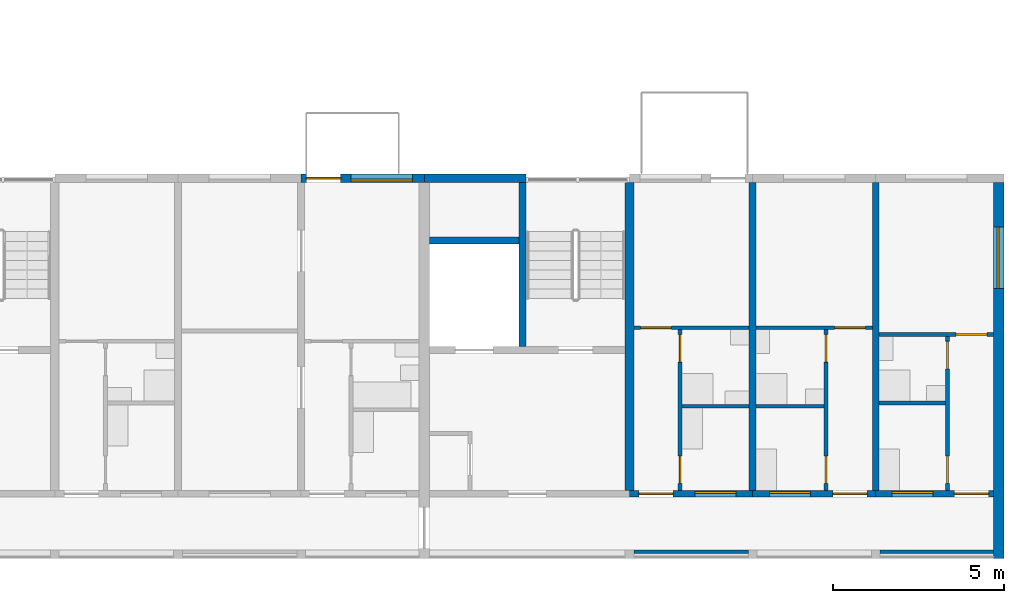
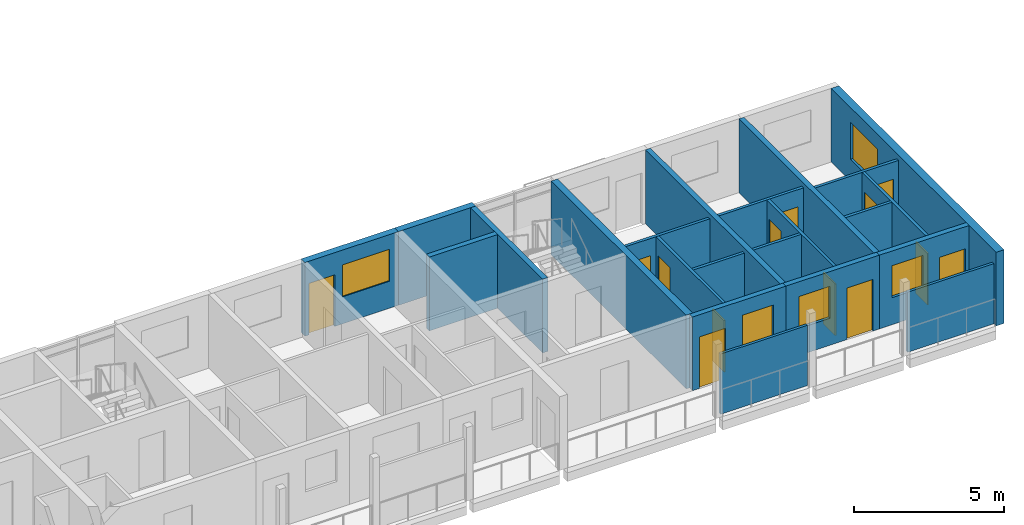
# One storey, part 56 of 87: 22 walls, 13 doors, 5 windows, 18 openings.
"""IFC4 building model written with IfcOpenShell, lengths in metres."""

import ifcopenshell
import ifcopenshell.guid

model = None  # the IFC model being written
_history = None  # IfcOwnerHistory: only IFC2X3 demands one
_inside = {}  # id of a spatial element -> (the spatial element, [elements in it])
_under = {}  # id of a project, library or spatial element -> (it, [spatial elements below it])
_declared = {}  # id of a project -> (the project, [libraries it declares])
_typed = {}  # id of a type object -> (the type object, [elements of that type])
_made_of = {}  # id of a material, layer set ... -> (it, [elements and type objects made of it])


def new_model(schema):
    """Start an empty IFC model of exactly this schema.

    Asked for "IFC4X3", IfcOpenShell would pick the latest addendum, in which some entities
    have other attributes; the version numbers below select the first issue.
    IFC2X3 requires an IfcOwnerHistory on every rooted entity: one is made here for all.
    """
    global model, _history
    if schema == "IFC4X3":
        model = ifcopenshell.file(schema_version=(4, 3, 0, 0))
    else:
        model = ifcopenshell.file(schema=schema)
    _inside.clear()
    _under.clear()
    _declared.clear()
    _typed.clear()
    _made_of.clear()
    _history = None
    if model.schema == "IFC2X3":
        org = make("IfcOrganization", Name="unknown")
        user = make(
            "IfcPersonAndOrganization",
            ThePerson=make("IfcPerson", FamilyName="unknown"),
            TheOrganization=org,
        )
        app = make(
            "IfcApplication",
            ApplicationDeveloper=org,
            Version="unknown",
            ApplicationFullName="unknown",
            ApplicationIdentifier="unknown",
        )
        _history = make(
            "IfcOwnerHistory",
            OwningUser=user,
            OwningApplication=app,
            ChangeAction="ADDED",
            CreationDate=0,
        )
    return model


def make(cls, **values):
    """One entity of the class cls with the attributes given. An attribute that is None is left unset."""
    return model.create_entity(
        cls, **{name: value for name, value in values.items() if value is not None}
    )


def rooted(cls, **values):
    """An entity with a GlobalId (a new one), such as an element, a storey or a relation."""
    return make(cls, GlobalId=ifcopenshell.guid.new(), OwnerHistory=_history, **values)


def si_unit(unit_type, name, prefix=None):
    """IfcSIUnit, for example si_unit("LENGTHUNIT", "METRE", prefix="MILLI")."""
    return make("IfcSIUnit", UnitType=unit_type, Prefix=prefix, Name=name)


def assignment(units):
    """IfcUnitAssignment: the units of a project."""
    return None if units is None else make("IfcUnitAssignment", Units=units)


def point(xyz):
    """IfcCartesianPoint."""
    return None if xyz is None else make("IfcCartesianPoint", Coordinates=xyz)


def direction(xyz):
    """IfcDirection."""
    return None if xyz is None else make("IfcDirection", DirectionRatios=xyz)


def frame(location, z_axis=None, x_axis=None):
    """IfcAxis2Placement3D, a coordinate frame: its origin and axes. An axis left out is left unset."""
    return make(
        "IfcAxis2Placement3D",
        Location=point(location),
        Axis=direction(z_axis),
        RefDirection=direction(x_axis),
    )


def frame_2d(location, x_axis=None):
    """IfcAxis2Placement2D, a coordinate frame in the plane: its origin and x axis."""
    return make(
        "IfcAxis2Placement2D", Location=point(location), RefDirection=direction(x_axis)
    )


def origin():
    """The frame at (0, 0, 0) with its axes left unset."""
    return frame((0.0, 0.0, 0.0))


def place(relative_to, where):
    """IfcLocalPlacement: puts the frame where relative to a parent placement (None: the world)."""
    return make(
        "IfcLocalPlacement", PlacementRelTo=relative_to, RelativePlacement=where
    )


def context(
    kind, dimensions, precision=None, world=None, true_north=None, identifier=None
):
    """IfcGeometricRepresentationContext, for example the 3D "Model" context."""
    return make(
        "IfcGeometricRepresentationContext",
        ContextIdentifier=identifier,
        ContextType=kind,
        CoordinateSpaceDimension=dimensions,
        Precision=precision,
        WorldCoordinateSystem=world,
        TrueNorth=true_north,
    )


def subcontext(parent, identifier, kind, view, scale=None):
    """IfcGeometricRepresentationSubContext, for example "Body" below "Model"."""
    return make(
        "IfcGeometricRepresentationSubContext",
        ContextIdentifier=identifier,
        ContextType=kind,
        ParentContext=parent,
        TargetScale=scale,
        TargetView=view,
    )


def project(units=None, contexts=None):
    """IfcProject with its units and contexts."""
    return rooted(
        "IfcProject",
        Name="project",
        RepresentationContexts=contexts,
        UnitsInContext=assignment(units),
    )


def spatial(cls, under=None, at=None, **own):
    """A site, building, storey or space (cls), placed at a placement, below another one or the project."""
    s = rooted(cls, ObjectPlacement=at, **own)
    if under is not None:
        _under.setdefault(under.id(), (under, []))[1].append(s)
    return s


def profile(cls, at=None, kind="AREA", **sizes):
    """A parametric profile (cls). Its sizes go by their IFC names, for example OverallWidth=200.0."""
    return make(cls, ProfileType=kind, Position=at, **sizes)


def rectangle(**sizes):
    """IfcRectangleProfileDef."""
    return profile("IfcRectangleProfileDef", **sizes)


def extrude(swept, where, along, depth):
    """IfcExtrudedAreaSolid: the profile swept, set in the frame where, extruded along a direction by depth."""
    return make(
        "IfcExtrudedAreaSolid",
        SweptArea=swept,
        Position=where,
        ExtrudedDirection=direction(along),
        Depth=depth,
    )


def shape(context_of_items, identifier, shape_type, items):
    """IfcShapeRepresentation: the items that make up one representation, for example the "Body"."""
    return make(
        "IfcShapeRepresentation",
        ContextOfItems=context_of_items,
        RepresentationIdentifier=identifier,
        RepresentationType=shape_type,
        Items=items,
    )


def material(Name=None, Category=None):
    """IfcMaterial."""
    return make("IfcMaterial", Name=Name, Category=Category)


def layer(
    of_material, thickness, ventilated=None, Name=None, Category=None, Priority=None
):
    """IfcMaterialLayer: one layer of a wall or slab, of a material (None: an air gap)."""
    return make(
        "IfcMaterialLayer",
        Material=of_material,
        LayerThickness=thickness,
        IsVentilated=ventilated,
        Name=Name,
        Category=Category,
        Priority=Priority,
    )


def layer_set(layers, Name=None):
    """IfcMaterialLayerSet."""
    return make("IfcMaterialLayerSet", MaterialLayers=layers, LayerSetName=Name)


def made_of(thing, what):
    """Note that an element or type object is made of a material, layer set ...; save() writes the relation."""
    if what is not None:
        _made_of.setdefault(what.id(), (what, []))[1].append(thing)
    return thing


def type_object(cls, material=None, **own):
    """A type object (cls), such as IfcWallType, which elements share."""
    return made_of(rooted(cls, **own), material)


def element(
    cls,
    number,
    at=None,
    inside=None,
    cuts=None,
    type_object=None,
    material=None,
    context=None,
    identifier="Body",
    shape_type=None,
    held_by="IfcProductDefinitionShape",
    body=None,
    shapes=None,
    **own,
):
    """One element of the class cls, such as IfcWall. Its Tag is "e" and its number.

    at: its placement. inside: the storey or other place that contains it. cuts: it is an
    opening in that element (IfcRelVoidsElement). A single representation is given by context,
    identifier, shape_type and body (its items); several are given by shapes. held_by: the class
    of the entity that holds the representations. save() writes the other relations.
    """
    e = rooted(cls, Tag="e%d" % number, ObjectPlacement=at, **own)
    if body is not None:
        shapes = [shape(context, identifier, shape_type, body)]
    if shapes is not None:
        e.Representation = make(held_by, Representations=shapes)
    if inside is not None:
        _inside.setdefault(inside.id(), (inside, []))[1].append(e)
    if cuts is not None:
        rooted(
            "IfcRelVoidsElement", RelatingBuildingElement=cuts, RelatedOpeningElement=e
        )
    if type_object is not None:
        _typed.setdefault(type_object.id(), (type_object, []))[1].append(e)
    return made_of(e, material)


def fill(opening, filler):
    """IfcRelFillsElement: the door or window that sits in an opening."""
    return rooted(
        "IfcRelFillsElement",
        RelatingOpeningElement=opening,
        RelatedBuildingElement=filler,
    )


def aggregate(whole, parts):
    """IfcRelAggregates: a whole, such as a stair, and the parts it consists of."""
    return rooted("IfcRelAggregates", RelatingObject=whole, RelatedObjects=parts)


def save(model, path):
    """Write the relations noted so far, then the file.

    IfcRelAggregates (storeys below a building ...), IfcRelContainedInSpatialStructure (elements
    in a storey), IfcRelDefinesByType, IfcRelAssociatesMaterial and IfcRelDeclares: one each for
    every whole, place, type object, material and project.
    """
    for whole, parts in _under.values():
        aggregate(whole, parts)
    for where, things in _inside.values():
        rooted(
            "IfcRelContainedInSpatialStructure",
            RelatedElements=things,
            RelatingStructure=where,
        )
    for kind, things in _typed.values():
        rooted("IfcRelDefinesByType", RelatedObjects=things, RelatingType=kind)
    for what, things in _made_of.values():
        rooted("IfcRelAssociatesMaterial", RelatedObjects=things, RelatingMaterial=what)
    for by, libraries in _declared.values():
        rooted("IfcRelDeclares", RelatingContext=by, RelatedDefinitions=libraries)
    model.write(path)


model = new_model("IFC4")

# Units and contexts
model_context = context("Model", 3, precision=1e-05, world=origin(), true_north=direction((0.0, 1.0)))
body_context = subcontext(model_context, "Body", "Model", "MODEL_VIEW")
ifc_project = project(units=[si_unit("LENGTHUNIT", "METRE"), si_unit("AREAUNIT", "SQUARE_METRE"), si_unit("VOLUMEUNIT", "CUBIC_METRE"), si_unit("PLANEANGLEUNIT", "RADIAN"), si_unit("MASSUNIT", "GRAM", prefix="KILO")], contexts=[model_context])

# Site, building, storey
site_placement = place(None, origin())
site = spatial("IfcSite", under=ifc_project, at=site_placement, CompositionType="ELEMENT")
building_placement = place(site_placement, origin())
building = spatial("IfcBuilding", under=site, at=building_placement, Name="Ridgestep Commons", CompositionType="ELEMENT")
storey_placement = place(building_placement, frame((0.0, 0.0, 27.0)))
storey = spatial("IfcBuildingStorey", under=building, at=storey_placement, Name="L09", CompositionType="ELEMENT", Elevation=27.0)

# Walls
ifc_material_1 = material(Name="Concrete C30/37", Category="concrete")
ifc_layer_1 = layer(ifc_material_1, 0.25)
ifc_layer_set_1 = layer_set([ifc_layer_1], Name="Core cross wall 250")
wall_type_1 = type_object("IfcWallType", Name="Core cross wall 250", PredefinedType="SHEAR", material=ifc_layer_set_1)
wall_1_placement = place(storey_placement, frame((236.800048828125, 13.75, 0.0), z_axis=(0.0, 0.0, 1.0), x_axis=(0.0, 1.0, 0.0)))
element("IfcWall", 1, at=wall_1_placement, inside=storey, type_object=wall_type_1, Name="Cross wall D-09-2368", PredefinedType="SHEAR", context=body_context, shape_type="SweptSolid", body=[
    extrude(rectangle(XDim=9.0, YDim=0.25, at=frame_2d((4.5, 0.0))), origin(), (0.0, 0.0, 1.0), 3.0),
])
ifc_material_2 = material(Name="Concrete C30/37", Category="concrete")
ifc_layer_2 = layer(ifc_material_2, 0.199951171875)
ifc_layer_set_2 = layer_set([ifc_layer_2], Name="Core wall 200")
wall_type_2 = type_object("IfcWallType", Name="Core wall 200", PredefinedType="SHEAR", material=ifc_layer_set_2)
wall_2_placement = place(storey_placement, frame((233.675048828125, 17.949951171875, 0.0), z_axis=(0.0, 0.0, 1.0), x_axis=(0.0, 1.0, 0.0)))
element("IfcWall", 2, at=wall_2_placement, inside=storey, type_object=wall_type_2, Name="Core stair wall D6C L09", PredefinedType="SHEAR", context=body_context, shape_type="SweptSolid", body=[
    extrude(rectangle(XDim=4.800048828125, YDim=0.199951171875, at=frame_2d((2.39990234375, 0.0))), origin(), (0.0, 0.0, 1.0), 3.0),
])
wall_3_placement = place(storey_placement, frame((230.949951171875, 21.050048828125, 0.0), z_axis=(0.0, 0.0, 1.0), x_axis=(1.0, 0.0, 0.0)))
element("IfcWall", 3, at=wall_3_placement, inside=storey, type_object=wall_type_2, Name="Core duct wall D6C L09", PredefinedType="SHEAR", context=body_context, shape_type="SweptSolid", body=[
    extrude(rectangle(XDim=2.625, YDim=0.199951171875, at=frame_2d((1.3125, 0.0))), origin(), (0.0, 0.0, 1.0), 3.0),
])
ifc_material_3 = material(Name="Precast concrete C40/50", Category="concrete")
ifc_layer_3 = layer(ifc_material_3, 0.199951171875)
ifc_layer_set_3 = layer_set([ifc_layer_3], Name="Cross wall 200")
wall_type_3 = type_object("IfcWallType", Name="Cross wall 200", PredefinedType="SHEAR", material=ifc_layer_set_3)
for number, where, z_axis, x_axis, name in (
    (4, (240.39990234375, 13.75, 0.0), (0.0, 0.0, 1.0), (0.0, 1.0, 0.0), "Cross wall D-09-2404"),
    (5, (244.0, 13.75, 0.0), (0.0, 0.0, 1.0), (0.0, 1.0, 0.0), "Cross wall D-09-2440"),
):
    element("IfcWall", number, at=place(storey_placement, frame(where, z_axis=z_axis, x_axis=x_axis)), inside=storey, type_object=wall_type_3, Name=name, PredefinedType="SHEAR", context=body_context, shape_type="SweptSolid", body=[
        extrude(rectangle(XDim=9.0, YDim=0.199951171875, at=frame_2d((4.5, 0.0))), origin(), (0.0, 0.0, 1.0), 3.0),
    ])

# Wall, opening, window
ifc_material_4 = material(Name="Precast concrete C40/50", Category="concrete")
ifc_layer_4 = layer(ifc_material_4, 0.300048828125)
ifc_layer_set_4 = layer_set([ifc_layer_4], Name="Exposed division wall 300")
wall_type_4 = type_object("IfcWallType", Name="Exposed division wall 300", PredefinedType="SHEAR", material=ifc_layer_set_4)
wall_4_placement = place(storey_placement, frame((247.60009765625, 11.75, 0.0), z_axis=(0.0, 0.0, 1.0), x_axis=(0.0, 1.0, 0.0)))
wall_4 = element("IfcWall", 6, at=wall_4_placement, inside=storey, type_object=wall_type_4, Name="Cross wall D-09-2476", PredefinedType="SHEAR", context=body_context, shape_type="SweptSolid", body=[
    extrude(rectangle(XDim=11.0, YDim=0.300048828125, at=frame_2d((5.5, 0.0))), origin(), (0.0, 0.0, 1.0), 3.0),
])
opening_1_placement = place(wall_4_placement, frame((7.905029296875, 0.0, 0.89990234375)))
opening_1 = element("IfcOpeningElement", 7, at=opening_1_placement, cuts=wall_4, Name="Opening W20", PredefinedType="OPENING", context=body_context, shape_type="SweptSolid", body=[
    extrude(rectangle(XDim=1.800048828125, YDim=1.5, at=frame_2d((0.89990234375, 0.75))), frame((0.0, 0.159912109375, 0.0), z_axis=(0.0, -1.0, 0.0), x_axis=(1.0, 0.0, 0.0)), (0.0, 0.0, 1.0), 0.320068359375),
])
ifc_material_5 = material(Name="Aluminium 6063-T6 and glass", Category="aluminium")
window_type_1 = type_object("IfcWindowType", Name="Flat window 1800 x 1500", PartitioningType="DOUBLE_PANEL_VERTICAL", PredefinedType="WINDOW", material=ifc_material_5)
window_1_placement = place(opening_1_placement, origin())
window_1 = element("IfcWindow", 8, at=window_1_placement, inside=storey, type_object=window_type_1, Name="Window D6-09a 3", OverallHeight=1.5, OverallWidth=1.800048828125, PartitioningType="SINGLE_PANEL", PredefinedType="WINDOW", context=body_context, shape_type="SweptSolid", body=[
    extrude(rectangle(XDim=1.800048828125, YDim=1.5, at=frame_2d((0.89990234375, 0.75))), frame((0.0, 0.06005859375, 0.0), z_axis=(0.0, -1.0, 0.0), x_axis=(1.0, 0.0, 0.0)), (0.0, 0.0, 1.0), 0.06005859375),
])
fill(opening_1, window_1)

# Wall, openings, door, window
ifc_material_6 = material(Name="Precast concrete C40/50", Category="concrete")
ifc_layer_5 = layer(ifc_material_6, 0.25)
ifc_layer_set_5 = layer_set([ifc_layer_5], Name="North facade panel 250")
wall_type_5 = type_object("IfcWallType", Name="North facade panel 250", PredefinedType="SOLIDWALL", material=ifc_layer_set_5)
wall_5_placement = place(storey_placement, frame((227.199951171875, 22.875, 0.0), z_axis=(0.0, 0.0, 1.0), x_axis=(1.0, 0.0, 0.0)))
wall_5 = element("IfcWall", 9, at=wall_5_placement, inside=storey, type_object=wall_type_5, Name="North panel D5T1 L09", PredefinedType="SOLIDWALL", context=body_context, shape_type="SweptSolid", body=[
    extrude(rectangle(XDim=3.60009765625, YDim=0.25, at=frame_2d((1.800048828125, 0.0))), origin(), (0.0, 0.0, 1.0), 3.0),
])
opening_2_placement = place(wall_5_placement, frame((1.451904296875, 0.0, 1.10009765625)))
opening_2 = element("IfcOpeningElement", 10, at=opening_2_placement, cuts=wall_5, Name="Opening W18", PredefinedType="OPENING", context=body_context, shape_type="SweptSolid", body=[
    extrude(rectangle(XDim=1.800048828125, YDim=1.300048828125, at=frame_2d((0.89990234375, 0.64990234375))), frame((0.0, 0.135009765625, 0.0), z_axis=(0.0, -1.0, 0.0), x_axis=(1.0, 0.0, 0.0)), (0.0, 0.0, 1.0), 0.27001953125),
])
opening_3_placement = place(wall_5_placement, frame((0.154052734375, 0.0, 0.0)))
opening_3 = element("IfcOpeningElement", 11, at=opening_3_placement, cuts=wall_5, Name="Opening D5-09a/7", PredefinedType="OPENING", context=body_context, shape_type="SweptSolid", body=[
    extrude(rectangle(XDim=1.0, YDim=2.10009765625, at=frame_2d((0.5, 1.050048828125))), frame((0.0, 0.135009765625, 0.0), z_axis=(0.0, -1.0, 0.0), x_axis=(1.0, 0.0, 0.0)), (0.0, 0.0, 1.0), 0.27001953125),
])
ifc_material_7 = material(Name="Aluminium and glass", Category="aluminium")
door_type_1 = type_object("IfcDoorType", Name="Balcony door 1000 x 2100", OperationType="NOTDEFINED", PredefinedType="DOOR", material=ifc_material_7)
door_1_placement = place(opening_3_placement, origin())
door_1 = element("IfcDoor", 12, at=door_1_placement, inside=storey, type_object=door_type_1, Name="Balcony door D5-09a/7", OperationType="SINGLE_SWING_RIGHT", OverallHeight=2.10009765625, OverallWidth=1.0, PredefinedType="DOOR", context=body_context, shape_type="SweptSolid", body=[
    extrude(rectangle(XDim=1.0, YDim=2.10009765625, at=frame_2d((0.5, 1.050048828125))), frame((0.0, 0.02490234375, 0.0), z_axis=(0.0, -1.0, 0.0), x_axis=(1.0, 0.0, 0.0)), (0.0, 0.0, 1.0), 0.050048828125),
])
fill(opening_3, door_1)
ifc_material_8 = material(Name="Aluminium 6063-T6 and glass", Category="aluminium")
window_type_2 = type_object("IfcWindowType", Name="Flat window 1800 x 1300", PartitioningType="DOUBLE_PANEL_VERTICAL", PredefinedType="WINDOW", material=ifc_material_8)
window_2_placement = place(opening_2_placement, origin())
window_2 = element("IfcWindow", 13, at=window_2_placement, inside=storey, type_object=window_type_2, Name="Window D5-09a 4", OverallHeight=1.300048828125, OverallWidth=1.800048828125, PartitioningType="SINGLE_PANEL", PredefinedType="WINDOW", context=body_context, shape_type="SweptSolid", body=[
    extrude(rectangle(XDim=1.800048828125, YDim=1.300048828125, at=frame_2d((0.89990234375, 0.64990234375))), frame((0.0, -0.02490234375, 0.0), z_axis=(0.0, -1.0, 0.0), x_axis=(1.0, 0.0, 0.0)), (0.0, 0.0, 1.0), 0.06005859375),
])
fill(opening_2, window_2)

# Walls
wall_6_placement = place(storey_placement, frame((230.800048828125, 22.875, 0.0), z_axis=(0.0, 0.0, 1.0), x_axis=(1.0, 0.0, 0.0)))
element("IfcWall", 14, at=wall_6_placement, inside=storey, type_object=wall_type_5, Name="North panel D6C L09", PredefinedType="SOLIDWALL", context=body_context, shape_type="SweptSolid", body=[
    extrude(rectangle(XDim=2.974853515625, YDim=0.25, at=frame_2d((1.4873046875, 0.0))), origin(), (0.0, 0.0, 1.0), 3.0),
])
ifc_material_9 = material(Name="Common brick 110 mm", Category="masonry")
ifc_layer_6 = layer(ifc_material_9, 0.110107421875)
ifc_layer_set_6 = layer_set([ifc_layer_6], Name="Partition 110")
wall_type_6 = type_object("IfcWallType", Name="Partition 110", PredefinedType="PARTITIONING", material=ifc_layer_set_6)
wall_7_placement = place(storey_placement, frame((244.10009765625, 16.304931640625, 0.0), z_axis=(0.0, 0.0, 1.0), x_axis=(1.0, 0.0, 0.0)))
element("IfcWall", 15, at=wall_7_placement, inside=storey, type_object=wall_type_6, Name="Partition D6-09a", PredefinedType="PARTITIONING", context=body_context, shape_type="SweptSolid", body=[
    extrude(rectangle(XDim=1.93994140625, YDim=0.110107421875, at=frame_2d((0.969970703125, 0.0))), origin(), (0.0, 0.0, 1.0), 2.800048828125),
])

# Wall, openings, doors
wall_8_placement = place(storey_placement, frame((246.094970703125, 13.75, 0.0), z_axis=(0.0, 0.0, 1.0), x_axis=(0.0, 1.0, 0.0)))
wall_8 = element("IfcWall", 16, at=wall_8_placement, inside=storey, type_object=wall_type_6, Name="Partition D6-09a", PredefinedType="PARTITIONING", context=body_context, shape_type="SweptSolid", body=[
    extrude(rectangle(XDim=4.5, YDim=0.110107421875, at=frame_2d((2.25, 0.0))), origin(), (0.0, 0.0, 1.0), 2.800048828125),
])
opening_4_placement = place(wall_8_placement, frame((0.199951171875, 0.0, 0.0)))
opening_4 = element("IfcOpeningElement", 17, at=opening_4_placement, cuts=wall_8, Name="Opening D6-09a/2", PredefinedType="OPENING", context=body_context, shape_type="SweptSolid", body=[
    extrude(rectangle(XDim=0.800048828125, YDim=2.10009765625, at=frame_2d((0.39990234375, 1.050048828125))), frame((0.0, 0.06494140625, 0.0), z_axis=(0.0, -1.0, 0.0), x_axis=(1.0, 0.0, 0.0)), (0.0, 0.0, 1.0), 0.130126953125),
])
opening_5_placement = place(wall_8_placement, frame((3.550048828125, 0.0, 0.0)))
opening_5 = element("IfcOpeningElement", 18, at=opening_5_placement, cuts=wall_8, Name="Opening D6-09a/3", PredefinedType="OPENING", context=body_context, shape_type="SweptSolid", body=[
    extrude(rectangle(XDim=0.800048828125, YDim=2.10009765625, at=frame_2d((0.39990234375, 1.050048828125))), frame((0.0, 0.06494140625, 0.0), z_axis=(0.0, -1.0, 0.0), x_axis=(1.0, 0.0, 0.0)), (0.0, 0.0, 1.0), 0.130126953125),
])
ifc_material_10 = material(Name="Timber door leaf", Category="wood")
door_type_2 = type_object("IfcDoorType", Name="Internal door 800 x 2100", OperationType="NOTDEFINED", PredefinedType="DOOR", material=ifc_material_10)
door_2_placement = place(opening_4_placement, origin())
door_2 = element("IfcDoor", 19, at=door_2_placement, inside=storey, type_object=door_type_2, Name="Internal door D6-09a/2", OperationType="SINGLE_SWING_LEFT", OverallHeight=2.10009765625, OverallWidth=0.800048828125, PredefinedType="DOOR", context=body_context, shape_type="SweptSolid", body=[
    extrude(rectangle(XDim=0.800048828125, YDim=2.10009765625, at=frame_2d((0.39990234375, 1.050048828125))), frame((0.0, 0.02490234375, 0.0), z_axis=(0.0, -1.0, 0.0), x_axis=(1.0, 0.0, 0.0)), (0.0, 0.0, 1.0), 0.050048828125),
])
fill(opening_4, door_2)
door_3_placement = place(opening_5_placement, origin())
door_3 = element("IfcDoor", 20, at=door_3_placement, inside=storey, type_object=door_type_2, Name="Internal door D6-09a/3", OperationType="SINGLE_SWING_RIGHT", OverallHeight=2.10009765625, OverallWidth=0.800048828125, PredefinedType="DOOR", context=body_context, shape_type="SweptSolid", body=[
    extrude(rectangle(XDim=0.800048828125, YDim=2.10009765625, at=frame_2d((0.39990234375, 1.050048828125))), frame((0.0, 0.02490234375, 0.0), z_axis=(0.0, -1.0, 0.0), x_axis=(1.0, 0.0, 0.0)), (0.0, 0.0, 1.0), 0.050048828125),
])
fill(opening_5, door_3)

# Wall, opening, door
wall_9_placement = place(storey_placement, frame((244.10009765625, 18.304931640625, 0.0), z_axis=(0.0, 0.0, 1.0), x_axis=(1.0, 0.0, 0.0)))
wall_9 = element("IfcWall", 21, at=wall_9_placement, inside=storey, type_object=wall_type_6, Name="Partition D6-09a", PredefinedType="PARTITIONING", context=body_context, shape_type="SweptSolid", body=[
    extrude(rectangle(XDim=3.349853515625, YDim=0.110107421875, at=frame_2d((1.6748046875, 0.0))), origin(), (0.0, 0.0, 1.0), 2.800048828125),
])
opening_6_placement = place(wall_9_placement, frame((2.25, 0.0, 0.0)))
opening_6 = element("IfcOpeningElement", 22, at=opening_6_placement, cuts=wall_9, Name="Opening D6-09a/4", PredefinedType="OPENING", context=body_context, shape_type="SweptSolid", body=[
    extrude(rectangle(XDim=0.89990234375, YDim=2.10009765625, at=frame_2d((0.449951171875, 1.050048828125))), frame((0.0, 0.06494140625, 0.0), z_axis=(0.0, -1.0, 0.0), x_axis=(1.0, 0.0, 0.0)), (0.0, 0.0, 1.0), 0.130126953125),
])
ifc_material_11 = material(Name="Timber door leaf", Category="wood")
door_type_3 = type_object("IfcDoorType", Name="Internal door 900 x 2100", OperationType="NOTDEFINED", PredefinedType="DOOR", material=ifc_material_11)
door_4_placement = place(opening_6_placement, origin())
door_4 = element("IfcDoor", 23, at=door_4_placement, inside=storey, type_object=door_type_3, Name="Internal door D6-09a/4", OperationType="SINGLE_SWING_LEFT", OverallHeight=2.10009765625, OverallWidth=0.89990234375, PredefinedType="DOOR", context=body_context, shape_type="SweptSolid", body=[
    extrude(rectangle(XDim=0.89990234375, YDim=2.10009765625, at=frame_2d((0.449951171875, 1.050048828125))), frame((0.0, 0.02490234375, 0.0), z_axis=(0.0, -1.0, 0.0), x_axis=(1.0, 0.0, 0.0)), (0.0, 0.0, 1.0), 0.050048828125),
])
fill(opening_6, door_4)

# Wall
wall_10_placement = place(storey_placement, frame((240.5, 16.205078125, 0.0), z_axis=(0.0, 0.0, 1.0), x_axis=(1.0, 0.0, 0.0)))
element("IfcWall", 24, at=wall_10_placement, inside=storey, type_object=wall_type_6, Name="Partition D6-09b", PredefinedType="PARTITIONING", context=body_context, shape_type="SweptSolid", body=[
    extrude(rectangle(XDim=1.989990234375, YDim=0.110107421875, at=frame_2d((0.9951171875, 0.0))), origin(), (0.0, 0.0, 1.0), 2.800048828125),
])

# Wall, openings, doors
wall_11_placement = place(storey_placement, frame((242.544921875, 13.75, 0.0), z_axis=(0.0, 0.0, 1.0), x_axis=(0.0, 1.0, 0.0)))
wall_11 = element("IfcWall", 25, at=wall_11_placement, inside=storey, type_object=wall_type_6, Name="Partition D6-09b", PredefinedType="PARTITIONING", context=body_context, shape_type="SweptSolid", body=[
    extrude(rectangle(XDim=4.699951171875, YDim=0.110107421875, at=frame_2d((2.35009765625, 0.0))), origin(), (0.0, 0.0, 1.0), 2.800048828125),
])
opening_7_placement = place(wall_11_placement, frame((0.199951171875, 0.0, 0.0)))
opening_7 = element("IfcOpeningElement", 26, at=opening_7_placement, cuts=wall_11, Name="Opening D6-09b/2", PredefinedType="OPENING", context=body_context, shape_type="SweptSolid", body=[
    extrude(rectangle(XDim=0.800048828125, YDim=2.10009765625, at=frame_2d((0.39990234375, 1.050048828125))), frame((0.0, 0.06494140625, 0.0), z_axis=(0.0, -1.0, 0.0), x_axis=(1.0, 0.0, 0.0)), (0.0, 0.0, 1.0), 0.130126953125),
])
opening_8_placement = place(wall_11_placement, frame((3.75, 0.0, 0.0)))
opening_8 = element("IfcOpeningElement", 27, at=opening_8_placement, cuts=wall_11, Name="Opening D6-09b/3", PredefinedType="OPENING", context=body_context, shape_type="SweptSolid", body=[
    extrude(rectangle(XDim=0.800048828125, YDim=2.10009765625, at=frame_2d((0.39990234375, 1.050048828125))), frame((0.0, 0.06494140625, 0.0), z_axis=(0.0, -1.0, 0.0), x_axis=(1.0, 0.0, 0.0)), (0.0, 0.0, 1.0), 0.130126953125),
])
door_5_placement = place(opening_7_placement, origin())
door_5 = element("IfcDoor", 28, at=door_5_placement, inside=storey, type_object=door_type_2, Name="Internal door D6-09b/2", OperationType="SINGLE_SWING_LEFT", OverallHeight=2.10009765625, OverallWidth=0.800048828125, PredefinedType="DOOR", context=body_context, shape_type="SweptSolid", body=[
    extrude(rectangle(XDim=0.800048828125, YDim=2.10009765625, at=frame_2d((0.39990234375, 1.050048828125))), frame((0.0, 0.02490234375, 0.0), z_axis=(0.0, -1.0, 0.0), x_axis=(1.0, 0.0, 0.0)), (0.0, 0.0, 1.0), 0.050048828125),
])
fill(opening_7, door_5)
door_6_placement = place(opening_8_placement, origin())
door_6 = element("IfcDoor", 29, at=door_6_placement, inside=storey, type_object=door_type_2, Name="Internal door D6-09b/3", OperationType="SINGLE_SWING_RIGHT", OverallHeight=2.10009765625, OverallWidth=0.800048828125, PredefinedType="DOOR", context=body_context, shape_type="SweptSolid", body=[
    extrude(rectangle(XDim=0.800048828125, YDim=2.10009765625, at=frame_2d((0.39990234375, 1.050048828125))), frame((0.0, 0.02490234375, 0.0), z_axis=(0.0, -1.0, 0.0), x_axis=(1.0, 0.0, 0.0)), (0.0, 0.0, 1.0), 0.050048828125),
])
fill(opening_8, door_6)

# Wall, opening, door
wall_12_placement = place(storey_placement, frame((240.5, 18.5048828125, 0.0), z_axis=(0.0, 0.0, 1.0), x_axis=(1.0, 0.0, 0.0)))
wall_12 = element("IfcWall", 30, at=wall_12_placement, inside=storey, type_object=wall_type_6, Name="Partition D6-09b", PredefinedType="PARTITIONING", context=body_context, shape_type="SweptSolid", body=[
    extrude(rectangle(XDim=3.39990234375, YDim=0.110107421875, at=frame_2d((1.699951171875, 0.0))), origin(), (0.0, 0.0, 1.0), 2.800048828125),
])
opening_9_placement = place(wall_12_placement, frame((2.300048828125, 0.0, 0.0)))
opening_9 = element("IfcOpeningElement", 31, at=opening_9_placement, cuts=wall_12, Name="Opening D6-09b/4", PredefinedType="OPENING", context=body_context, shape_type="SweptSolid", body=[
    extrude(rectangle(XDim=0.89990234375, YDim=2.10009765625, at=frame_2d((0.449951171875, 1.050048828125))), frame((0.0, 0.06494140625, 0.0), z_axis=(0.0, -1.0, 0.0), x_axis=(1.0, 0.0, 0.0)), (0.0, 0.0, 1.0), 0.130126953125),
])
door_7_placement = place(opening_9_placement, origin())
door_7 = element("IfcDoor", 32, at=door_7_placement, inside=storey, type_object=door_type_3, Name="Internal door D6-09b/4", OperationType="SINGLE_SWING_LEFT", OverallHeight=2.10009765625, OverallWidth=0.89990234375, PredefinedType="DOOR", context=body_context, shape_type="SweptSolid", body=[
    extrude(rectangle(XDim=0.89990234375, YDim=2.10009765625, at=frame_2d((0.449951171875, 1.050048828125))), frame((0.0, 0.02490234375, 0.0), z_axis=(0.0, -1.0, 0.0), x_axis=(1.0, 0.0, 0.0)), (0.0, 0.0, 1.0), 0.050048828125),
])
fill(opening_9, door_7)

# Wall, openings, doors
wall_13_placement = place(storey_placement, frame((238.280029296875, 13.75, 0.0), z_axis=(0.0, 0.0, 1.0), x_axis=(0.0, 1.0, 0.0)))
wall_13 = element("IfcWall", 33, at=wall_13_placement, inside=storey, type_object=wall_type_6, Name="Partition D6-09c", PredefinedType="PARTITIONING", context=body_context, shape_type="SweptSolid", body=[
    extrude(rectangle(XDim=4.699951171875, YDim=0.110107421875, at=frame_2d((2.35009765625, 0.0))), origin(), (0.0, 0.0, 1.0), 2.800048828125),
])
opening_10_placement = place(wall_13_placement, frame((0.199951171875, 0.0, 0.0)))
opening_10 = element("IfcOpeningElement", 34, at=opening_10_placement, cuts=wall_13, Name="Opening D6-09c/2", PredefinedType="OPENING", context=body_context, shape_type="SweptSolid", body=[
    extrude(rectangle(XDim=0.800048828125, YDim=2.10009765625, at=frame_2d((0.39990234375, 1.050048828125))), frame((0.0, 0.06494140625, 0.0), z_axis=(0.0, -1.0, 0.0), x_axis=(1.0, 0.0, 0.0)), (0.0, 0.0, 1.0), 0.130126953125),
])
opening_11_placement = place(wall_13_placement, frame((3.75, 0.0, 0.0)))
opening_11 = element("IfcOpeningElement", 35, at=opening_11_placement, cuts=wall_13, Name="Opening D6-09c/3", PredefinedType="OPENING", context=body_context, shape_type="SweptSolid", body=[
    extrude(rectangle(XDim=0.800048828125, YDim=2.10009765625, at=frame_2d((0.39990234375, 1.050048828125))), frame((0.0, 0.06494140625, 0.0), z_axis=(0.0, -1.0, 0.0), x_axis=(1.0, 0.0, 0.0)), (0.0, 0.0, 1.0), 0.130126953125),
])
door_8_placement = place(opening_10_placement, origin())
door_8 = element("IfcDoor", 36, at=door_8_placement, inside=storey, type_object=door_type_2, Name="Internal door D6-09c/2", OperationType="SINGLE_SWING_RIGHT", OverallHeight=2.10009765625, OverallWidth=0.800048828125, PredefinedType="DOOR", context=body_context, shape_type="SweptSolid", body=[
    extrude(rectangle(XDim=0.800048828125, YDim=2.10009765625, at=frame_2d((0.39990234375, 1.050048828125))), frame((0.0, 0.02490234375, 0.0), z_axis=(0.0, -1.0, 0.0), x_axis=(1.0, 0.0, 0.0)), (0.0, 0.0, 1.0), 0.050048828125),
])
fill(opening_10, door_8)
door_9_placement = place(opening_11_placement, origin())
door_9 = element("IfcDoor", 37, at=door_9_placement, inside=storey, type_object=door_type_2, Name="Internal door D6-09c/3", OperationType="SINGLE_SWING_LEFT", OverallHeight=2.10009765625, OverallWidth=0.800048828125, PredefinedType="DOOR", context=body_context, shape_type="SweptSolid", body=[
    extrude(rectangle(XDim=0.800048828125, YDim=2.10009765625, at=frame_2d((0.39990234375, 1.050048828125))), frame((0.0, 0.02490234375, 0.0), z_axis=(0.0, -1.0, 0.0), x_axis=(1.0, 0.0, 0.0)), (0.0, 0.0, 1.0), 0.050048828125),
])
fill(opening_11, door_9)

# Wall
wall_14_placement = place(storey_placement, frame((238.3349609375, 16.205078125, 0.0), z_axis=(0.0, 0.0, 1.0), x_axis=(1.0, 0.0, 0.0)))
element("IfcWall", 38, at=wall_14_placement, inside=storey, type_object=wall_type_6, Name="Partition D6-09c", PredefinedType="PARTITIONING", context=body_context, shape_type="SweptSolid", body=[
    extrude(rectangle(XDim=1.965087890625, YDim=0.110107421875, at=frame_2d((0.982421875, 0.0))), origin(), (0.0, 0.0, 1.0), 2.800048828125),
])

# Wall, opening, door
wall_15_placement = place(storey_placement, frame((236.925048828125, 18.5048828125, 0.0), z_axis=(0.0, 0.0, 1.0), x_axis=(1.0, 0.0, 0.0)))
wall_15 = element("IfcWall", 39, at=wall_15_placement, inside=storey, type_object=wall_type_6, Name="Partition D6-09c", PredefinedType="PARTITIONING", context=body_context, shape_type="SweptSolid", body=[
    extrude(rectangle(XDim=3.375, YDim=0.110107421875, at=frame_2d((1.6875, 0.0))), origin(), (0.0, 0.0, 1.0), 2.800048828125),
])
opening_12_placement = place(wall_15_placement, frame((0.199951171875, 0.0, 0.0)))
opening_12 = element("IfcOpeningElement", 40, at=opening_12_placement, cuts=wall_15, Name="Opening D6-09c/4", PredefinedType="OPENING", context=body_context, shape_type="SweptSolid", body=[
    extrude(rectangle(XDim=0.89990234375, YDim=2.10009765625, at=frame_2d((0.449951171875, 1.050048828125))), frame((0.0, 0.06494140625, 0.0), z_axis=(0.0, -1.0, 0.0), x_axis=(1.0, 0.0, 0.0)), (0.0, 0.0, 1.0), 0.130126953125),
])
door_10_placement = place(opening_12_placement, origin())
door_10 = element("IfcDoor", 41, at=door_10_placement, inside=storey, type_object=door_type_3, Name="Internal door D6-09c/4", OperationType="SINGLE_SWING_LEFT", OverallHeight=2.10009765625, OverallWidth=0.89990234375, PredefinedType="DOOR", context=body_context, shape_type="SweptSolid", body=[
    extrude(rectangle(XDim=0.89990234375, YDim=2.10009765625, at=frame_2d((0.449951171875, 1.050048828125))), frame((0.0, 0.02490234375, 0.0), z_axis=(0.0, -1.0, 0.0), x_axis=(1.0, 0.0, 0.0)), (0.0, 0.0, 1.0), 0.050048828125),
])
fill(opening_12, door_10)

# Walls
ifc_material_12 = material(Name="Precast concrete C30/37", Category="concrete")
ifc_layer_7 = layer(ifc_material_12, 0.10009765625)
ifc_layer_set_7 = layer_set([ifc_layer_7], Name="Perforated gallery screen 3325 x 2450 x 100")
wall_type_7 = type_object("IfcWallType", Name="Perforated gallery screen 3325 x 2450 x 100", PredefinedType="SOLIDWALL", material=ifc_layer_set_7)
wall_16_placement = place(storey_placement, frame((244.125, 11.949951171875, 0.0), z_axis=(0.0, 0.0, 1.0), x_axis=(1.0, 0.0, 0.0)))
element("IfcWall", 42, at=wall_16_placement, inside=storey, type_object=wall_type_7, Name="Gallery screen D6T1 09", PredefinedType="SOLIDWALL", context=body_context, shape_type="SweptSolid", body=[
    extrude(rectangle(XDim=3.324951171875, YDim=0.10009765625, at=frame_2d((1.66259765625, 0.0))), origin(), (0.0, 0.0, 1.0), 2.449951171875),
])
ifc_material_13 = material(Name="Precast concrete C30/37", Category="concrete")
ifc_layer_8 = layer(ifc_material_13, 0.10009765625)
ifc_layer_set_8 = layer_set([ifc_layer_8], Name="Perforated gallery screen 3350 x 2450 x 100")
wall_type_8 = type_object("IfcWallType", Name="Perforated gallery screen 3350 x 2450 x 100", PredefinedType="SOLIDWALL", material=ifc_layer_set_8)
wall_17_placement = place(storey_placement, frame((236.925048828125, 11.949951171875, 0.0), z_axis=(0.0, 0.0, 1.0), x_axis=(1.0, 0.0, 0.0)))
element("IfcWall", 43, at=wall_17_placement, inside=storey, type_object=wall_type_8, Name="Gallery screen D6T3 09", PredefinedType="SOLIDWALL", context=body_context, shape_type="SweptSolid", body=[
    extrude(rectangle(XDim=3.349853515625, YDim=0.10009765625, at=frame_2d((1.6748046875, 0.0))), origin(), (0.0, 0.0, 1.0), 2.449951171875),
])

# Wall, openings, door, window
ifc_material_14 = material(Name="Precast concrete C40/50", Category="concrete")
ifc_layer_9 = layer(ifc_material_14, 0.199951171875)
ifc_layer_set_9 = layer_set([ifc_layer_9], Name="South facade panel 200")
wall_type_9 = type_object("IfcWallType", Name="South facade panel 200", PredefinedType="SOLIDWALL", material=ifc_layer_set_9)
wall_18_placement = place(storey_placement, frame((236.800048828125, 13.64990234375, 0.0), z_axis=(0.0, 0.0, 1.0), x_axis=(1.0, 0.0, 0.0)))
wall_18 = element("IfcWall", 44, at=wall_18_placement, inside=storey, type_object=wall_type_9, Name="South panel D6T3 L09", PredefinedType="SOLIDWALL", context=body_context, shape_type="SweptSolid", body=[
    extrude(rectangle(XDim=3.599853515625, YDim=0.199951171875, at=frame_2d((1.7998046875, 0.0))), origin(), (0.0, 0.0, 1.0), 3.0),
])
opening_13_placement = place(wall_18_placement, frame((1.91748046875, 0.0, 1.10009765625)))
opening_13 = element("IfcOpeningElement", 45, at=opening_13_placement, cuts=wall_18, Name="Opening W08", PredefinedType="OPENING", context=body_context, shape_type="SweptSolid", body=[
    extrude(rectangle(XDim=1.199951171875, YDim=1.300048828125, at=frame_2d((0.60009765625, 0.64990234375))), frame((0.0, 0.10986328125, 0.0), z_axis=(0.0, -1.0, 0.0), x_axis=(1.0, 0.0, 0.0)), (0.0, 0.0, 1.0), 0.219970703125),
])
opening_14_placement = place(wall_18_placement, frame((0.27490234375, 0.0, 0.0)))
opening_14 = element("IfcOpeningElement", 46, at=opening_14_placement, cuts=wall_18, Name="Opening D6-09c/1", PredefinedType="OPENING", context=body_context, shape_type="SweptSolid", body=[
    extrude(rectangle(XDim=1.0, YDim=2.10009765625, at=frame_2d((0.5, 1.050048828125))), frame((0.0, 0.10986328125, 0.0), z_axis=(0.0, -1.0, 0.0), x_axis=(1.0, 0.0, 0.0)), (0.0, 0.0, 1.0), 0.219970703125),
])
ifc_material_15 = material(Name="Timber door leaf", Category="wood")
door_type_4 = type_object("IfcDoorType", Name="Flat entrance door 1000 x 2100 FD30S", OperationType="NOTDEFINED", PredefinedType="DOOR", material=ifc_material_15)
door_11_placement = place(opening_14_placement, origin())
door_11 = element("IfcDoor", 47, at=door_11_placement, inside=storey, type_object=door_type_4, Name="Flat entrance door D6-09c/1", OperationType="SINGLE_SWING_LEFT", OverallHeight=2.10009765625, OverallWidth=1.0, PredefinedType="DOOR", context=body_context, shape_type="SweptSolid", body=[
    extrude(rectangle(XDim=1.0, YDim=2.10009765625, at=frame_2d((0.5, 1.050048828125))), frame((0.0, 0.02490234375, 0.0), z_axis=(0.0, -1.0, 0.0), x_axis=(1.0, 0.0, 0.0)), (0.0, 0.0, 1.0), 0.050048828125),
])
fill(opening_14, door_11)
ifc_material_16 = material(Name="Aluminium 6063-T6 and glass", Category="aluminium")
window_type_3 = type_object("IfcWindowType", Name="Flat window 1200 x 1300", PartitioningType="SINGLE_PANEL", PredefinedType="WINDOW", material=ifc_material_16)
window_3_placement = place(opening_13_placement, origin())
window_3 = element("IfcWindow", 48, at=window_3_placement, inside=storey, type_object=window_type_3, Name="Window D6-09c 1", OverallHeight=1.300048828125, OverallWidth=1.199951171875, PartitioningType="SINGLE_PANEL", PredefinedType="WINDOW", context=body_context, shape_type="SweptSolid", body=[
    extrude(rectangle(XDim=1.199951171875, YDim=1.300048828125, at=frame_2d((0.60009765625, 0.64990234375))), frame((0.0, 0.06005859375, 0.0), z_axis=(0.0, -1.0, 0.0), x_axis=(1.0, 0.0, 0.0)), (0.0, 0.0, 1.0), 0.06005859375),
])
fill(opening_13, window_3)

wall_19_placement = place(storey_placement, frame((240.39990234375, 13.64990234375, 0.0), z_axis=(0.0, 0.0, 1.0), x_axis=(1.0, 0.0, 0.0)))
wall_19 = element("IfcWall", 49, at=wall_19_placement, inside=storey, type_object=wall_type_9, Name="South panel D6T2 L09", PredefinedType="SOLIDWALL", context=body_context, shape_type="SweptSolid", body=[
    extrude(rectangle(XDim=3.60009765625, YDim=0.199951171875, at=frame_2d((1.800048828125, 0.0))), origin(), (0.0, 0.0, 1.0), 3.0),
])
opening_15_placement = place(wall_19_placement, frame((0.4951171875, 0.0, 1.10009765625)))
opening_15 = element("IfcOpeningElement", 50, at=opening_15_placement, cuts=wall_19, Name="Opening W08", PredefinedType="OPENING", context=body_context, shape_type="SweptSolid", body=[
    extrude(rectangle(XDim=1.199951171875, YDim=1.300048828125, at=frame_2d((0.60009765625, 0.64990234375))), frame((0.0, 0.10986328125, 0.0), z_axis=(0.0, -1.0, 0.0), x_axis=(1.0, 0.0, 0.0)), (0.0, 0.0, 1.0), 0.219970703125),
])
opening_16_placement = place(wall_19_placement, frame((2.35009765625, 0.0, 0.0)))
opening_16 = element("IfcOpeningElement", 51, at=opening_16_placement, cuts=wall_19, Name="Opening D6-09b/1", PredefinedType="OPENING", context=body_context, shape_type="SweptSolid", body=[
    extrude(rectangle(XDim=1.0, YDim=2.10009765625, at=frame_2d((0.5, 1.050048828125))), frame((0.0, 0.10986328125, 0.0), z_axis=(0.0, -1.0, 0.0), x_axis=(1.0, 0.0, 0.0)), (0.0, 0.0, 1.0), 0.219970703125),
])
door_12_placement = place(opening_16_placement, origin())
door_12 = element("IfcDoor", 52, at=door_12_placement, inside=storey, type_object=door_type_4, Name="Flat entrance door D6-09b/1", OperationType="SINGLE_SWING_RIGHT", OverallHeight=2.10009765625, OverallWidth=1.0, PredefinedType="DOOR", context=body_context, shape_type="SweptSolid", body=[
    extrude(rectangle(XDim=1.0, YDim=2.10009765625, at=frame_2d((0.5, 1.050048828125))), frame((0.0, 0.02490234375, 0.0), z_axis=(0.0, -1.0, 0.0), x_axis=(1.0, 0.0, 0.0)), (0.0, 0.0, 1.0), 0.050048828125),
])
fill(opening_16, door_12)
window_4_placement = place(opening_15_placement, origin())
window_4 = element("IfcWindow", 53, at=window_4_placement, inside=storey, type_object=window_type_3, Name="Window D6-09b 1", OverallHeight=1.300048828125, OverallWidth=1.199951171875, PartitioningType="SINGLE_PANEL", PredefinedType="WINDOW", context=body_context, shape_type="SweptSolid", body=[
    extrude(rectangle(XDim=1.199951171875, YDim=1.300048828125, at=frame_2d((0.60009765625, 0.64990234375))), frame((0.0, 0.06005859375, 0.0), z_axis=(0.0, -1.0, 0.0), x_axis=(1.0, 0.0, 0.0)), (0.0, 0.0, 1.0), 0.06005859375),
])
fill(opening_15, window_4)

wall_20_placement = place(storey_placement, frame((244.0, 13.64990234375, 0.0), z_axis=(0.0, 0.0, 1.0), x_axis=(1.0, 0.0, 0.0)))
wall_20 = element("IfcWall", 54, at=wall_20_placement, inside=storey, type_object=wall_type_9, Name="South panel D6T1 L09", PredefinedType="SOLIDWALL", context=body_context, shape_type="SweptSolid", body=[
    extrude(rectangle(XDim=3.449951171875, YDim=0.199951171875, at=frame_2d((1.72509765625, 0.0))), origin(), (0.0, 0.0, 1.0), 3.0),
])
opening_17_placement = place(wall_20_placement, frame((0.469970703125, 0.0, 1.10009765625)))
opening_17 = element("IfcOpeningElement", 55, at=opening_17_placement, cuts=wall_20, Name="Opening W08", PredefinedType="OPENING", context=body_context, shape_type="SweptSolid", body=[
    extrude(rectangle(XDim=1.199951171875, YDim=1.300048828125, at=frame_2d((0.60009765625, 0.64990234375))), frame((0.0, 0.10986328125, 0.0), z_axis=(0.0, -1.0, 0.0), x_axis=(1.0, 0.0, 0.0)), (0.0, 0.0, 1.0), 0.219970703125),
])
opening_18_placement = place(wall_20_placement, frame((2.300048828125, 0.0, 0.0)))
opening_18 = element("IfcOpeningElement", 56, at=opening_18_placement, cuts=wall_20, Name="Opening D6-09a/1", PredefinedType="OPENING", context=body_context, shape_type="SweptSolid", body=[
    extrude(rectangle(XDim=1.0, YDim=2.10009765625, at=frame_2d((0.5, 1.050048828125))), frame((0.0, 0.10986328125, 0.0), z_axis=(0.0, -1.0, 0.0), x_axis=(1.0, 0.0, 0.0)), (0.0, 0.0, 1.0), 0.219970703125),
])
door_13_placement = place(opening_18_placement, origin())
door_13 = element("IfcDoor", 57, at=door_13_placement, inside=storey, type_object=door_type_4, Name="Flat entrance door D6-09a/1", OperationType="SINGLE_SWING_RIGHT", OverallHeight=2.10009765625, OverallWidth=1.0, PredefinedType="DOOR", context=body_context, shape_type="SweptSolid", body=[
    extrude(rectangle(XDim=1.0, YDim=2.10009765625, at=frame_2d((0.5, 1.050048828125))), frame((0.0, 0.02490234375, 0.0), z_axis=(0.0, -1.0, 0.0), x_axis=(1.0, 0.0, 0.0)), (0.0, 0.0, 1.0), 0.050048828125),
])
fill(opening_18, door_13)
window_5_placement = place(opening_17_placement, origin())
window_5 = element("IfcWindow", 58, at=window_5_placement, inside=storey, type_object=window_type_3, Name="Window D6-09a 1", OverallHeight=1.300048828125, OverallWidth=1.199951171875, PartitioningType="SINGLE_PANEL", PredefinedType="WINDOW", context=body_context, shape_type="SweptSolid", body=[
    extrude(rectangle(XDim=1.199951171875, YDim=1.300048828125, at=frame_2d((0.60009765625, 0.64990234375))), frame((0.0, 0.06005859375, 0.0), z_axis=(0.0, -1.0, 0.0), x_axis=(1.0, 0.0, 0.0)), (0.0, 0.0, 1.0), 0.06005859375),
])
fill(opening_17, window_5)

save(model, "model.ifc")
